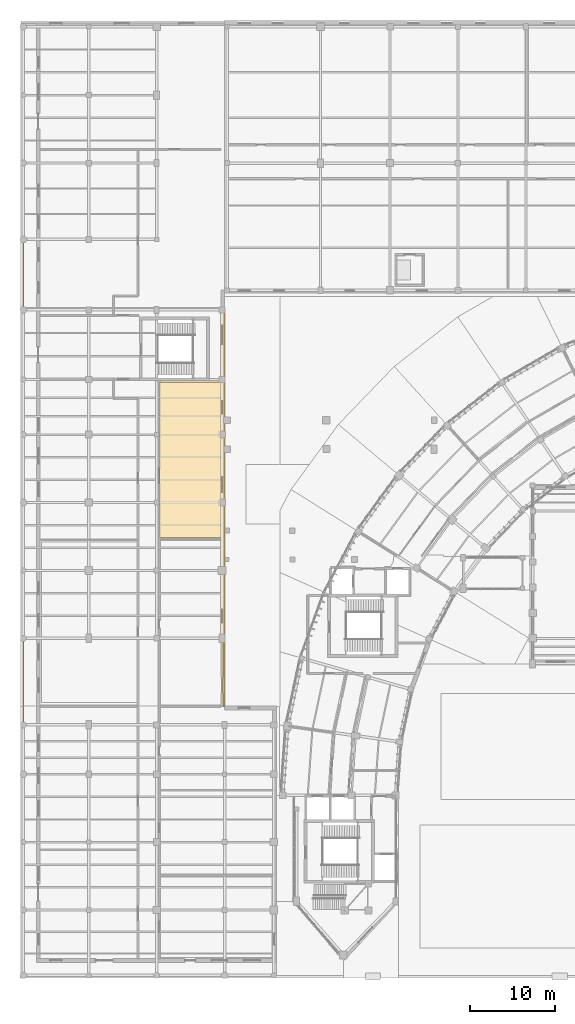
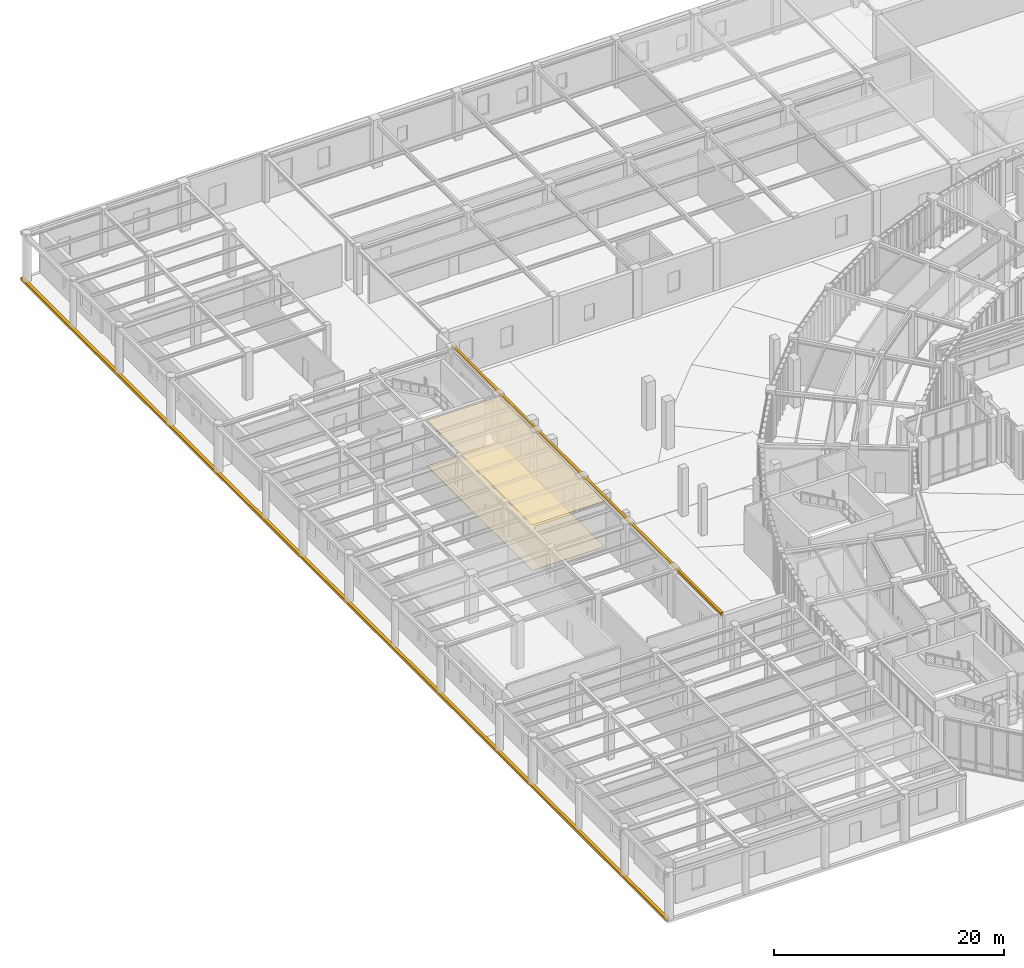
# One storey, part 57 of 68: 4 coverings.
"""IFC4 building model written with IfcOpenShell, lengths in metres."""

from ifc_helpers import new_model, si_unit, direction, frame, origin, origin_2d, place, context, subcontext, project, spatial, polyline, rectangle, outline, extrude, material, layer, layer_set, type_object, element, save


model = new_model("IFC4")

# Units and contexts
model_context = context("Model", 3, precision=1e-05, world=origin(), true_north=direction((0.0, 1.0)))
body_context = subcontext(model_context, "Body", "Model", "MODEL_VIEW")
ifc_project = project(units=[si_unit("LENGTHUNIT", "METRE"), si_unit("AREAUNIT", "SQUARE_METRE"), si_unit("VOLUMEUNIT", "CUBIC_METRE"), si_unit("PLANEANGLEUNIT", "RADIAN"), si_unit("MASSUNIT", "GRAM", prefix="KILO"), si_unit("THERMODYNAMICTEMPERATUREUNIT", "KELVIN"), si_unit("POWERUNIT", "WATT")], contexts=[model_context])

# Site, building, storey
site_placement = place(None, origin())
site = spatial("IfcSite", under=ifc_project, at=site_placement, CompositionType="ELEMENT")
building_placement = place(site_placement, origin())
building = spatial("IfcBuilding", under=site, at=building_placement, Name="Solvatero Civic Police Headquarters", CompositionType="ELEMENT")
storey_placement = place(building_placement, origin())
storey = spatial("IfcBuildingStorey", under=building, at=storey_placement, Name="L00", CompositionType="ELEMENT", Elevation=0.0)

# Coverings
ifc_material_1 = material(Name="Mineral-Fibre Acoustic Tile", Category="gypsum")
ifc_layer_1 = layer(ifc_material_1, 0.02490234375)
ifc_layer_set_1 = layer_set([ifc_layer_1], Name="Mineral-Fibre Acoustic Tile")
covering_type_1 = type_object("IfcCoveringType", Name="COV-CEIL-AC", PredefinedType="CEILING", material=ifc_layer_set_1)
covering_1_placement = place(storey_placement, frame((0.0, 0.0, 4.85498046875)))
element("IfcCovering", 1, at=covering_1_placement, inside=storey, type_object=covering_type_1, Name="Acoustic Ceiling Officers Dining Room and Servery", PredefinedType="CEILING", context=body_context, shape_type="SweptSolid", body=[
    extrude(outline(polyline([(28.080078125, 74.679931640625), (28.080078125, 56.320068359375), (20.820068359375, 56.320068359375), (20.820068359375, 74.679931640625), (28.080078125, 74.679931640625)])), origin(), (0.0, 0.0, 1.0), 0.02490234375),
])
ifc_material_2 = material(Name="Venetian Terrazzo Stone", Category="masonry")
ifc_layer_2 = layer(ifc_material_2, 0.034912109375)
ifc_layer_set_2 = layer_set([ifc_layer_2], Name="Venetian Terrazzo Stone")
covering_type_2 = type_object("IfcCoveringType", Name="COV-FLR-TER", PredefinedType="FLOORING", material=ifc_layer_set_2)
covering_2_placement = place(storey_placement, origin())
element("IfcCovering", 2, at=covering_2_placement, inside=storey, type_object=covering_type_2, Name="Flooring Officers Dining Room and Servery", PredefinedType="FLOORING", context=body_context, shape_type="SweptSolid", body=[
    extrude(outline(polyline([(28.080078125, 74.679931640625), (28.080078125, 56.320068359375), (20.820068359375, 56.320068359375), (20.820068359375, 74.679931640625), (28.080078125, 74.679931640625)])), origin(), (0.0, 0.0, 1.0), 0.034912109375),
])
ifc_material_3 = material(Name="Anodized Bronze Aluminium", Category="aluminium")
ifc_layer_3 = layer(ifc_material_3, 0.0400390625)
ifc_layer_set_3 = layer_set([ifc_layer_3], Name="Anodized Bronze Aluminium")
covering_type_3 = type_object("IfcCoveringType", Name="COV-RF-ZINC", PredefinedType="ROOFING", material=ifc_layer_set_3)
covering_3_placement = place(storey_placement, frame((0.0, 0.0, -0.300048828125)))
element("IfcCovering", 3, at=covering_3_placement, inside=storey, type_object=covering_type_3, Name="L00 Perimeter Bronze Plinth Skirt PLINTH-W", PredefinedType="CLADDING", context=body_context, shape_type="SweptSolid", body=[
    extrude(outline(polyline([(4.5, 4.800048828125), (4.800048828125, 4.800048828125), (4.800048828125, 117.199951171875), (4.5, 117.199951171875), (4.5, 4.800048828125)])), origin(), (0.0, 0.0, 1.0), 0.300048828125),
])
ifc_material_4 = material(Name="Cream Limestone Ashlar", Category="masonry")
ifc_layer_4 = layer(ifc_material_4, 0.10009765625)
ifc_layer_set_4 = layer_set([ifc_layer_4], Name="Cream Limestone Ashlar")
covering_type_4 = type_object("IfcCoveringType", Name="COV-TRIM-STONE", PredefinedType="CLADDING", material=ifc_layer_set_4)
covering_4_placement = place(storey_placement, frame((28.43994140625, 60.0, 4.6298828125), z_axis=(0.0, 0.0, 1.0), x_axis=(1.0, 0.0, 0.0)))
element("IfcCovering", 4, at=covering_4_placement, inside=storey, type_object=covering_type_4, Name="Classical Limestone Trim TRIM-V6-L00-E", PredefinedType="CLADDING", context=body_context, shape_type="SweptSolid", body=[
    extrude(rectangle(XDim=0.239990234375, YDim=47.0, at=origin_2d()), origin(), (0.0, 0.0, 1.0), 0.300048828125),
])

save(model, "model.ifc")
